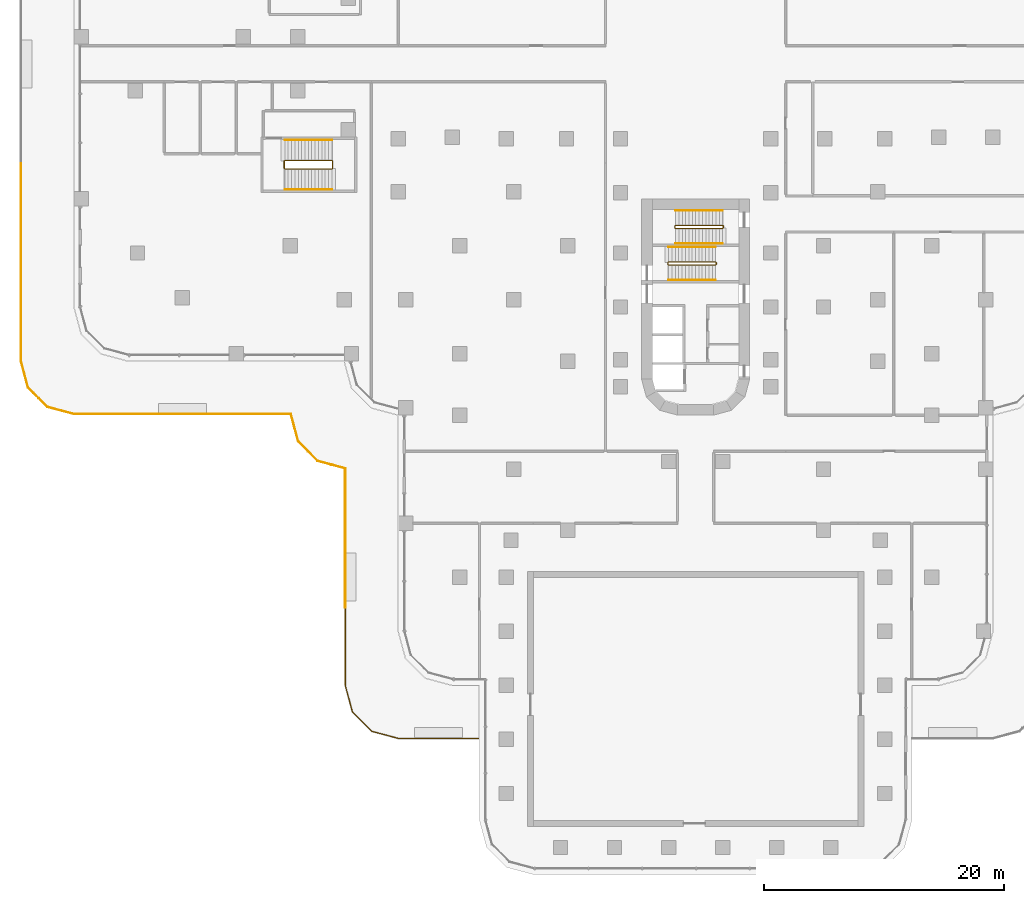
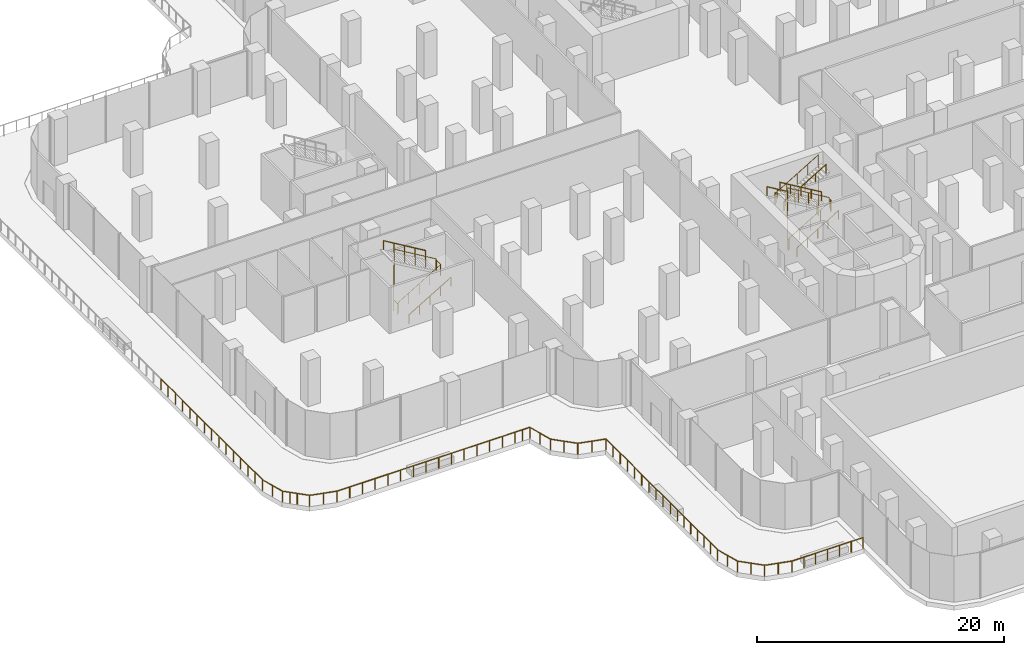
# One storey, part 25 of 30: 13 railings.
"""IFC4 building model written with IfcOpenShell, lengths in metres."""

from ifc_helpers import new_model, si_unit, direction, frame, origin, origin_2d, place, context, subcontext, project, spatial, circle, extrude, material, type_object, element, save


model = new_model("IFC4")

# Units and contexts
model_context = context("Model", 3, precision=1e-05, world=origin(), true_north=direction((0.0, 1.0)))
body_context = subcontext(model_context, "Body", "Model", "MODEL_VIEW")
ifc_project = project(units=[si_unit("LENGTHUNIT", "METRE"), si_unit("AREAUNIT", "SQUARE_METRE"), si_unit("VOLUMEUNIT", "CUBIC_METRE"), si_unit("PLANEANGLEUNIT", "RADIAN"), si_unit("MASSUNIT", "GRAM", prefix="KILO")], contexts=[model_context])

# Site, building, storey
site_placement = place(None, origin())
site = spatial("IfcSite", under=ifc_project, at=site_placement, CompositionType="ELEMENT")
building_placement = place(site_placement, origin())
building = spatial("IfcBuilding", under=site, at=building_placement, Name="Zarbagh Exchange Tower", CompositionType="ELEMENT")
storey_placement = place(building_placement, frame((0.0, 0.0, 7.0)))
storey = spatial("IfcBuildingStorey", under=building, at=storey_placement, Name="L01", CompositionType="ELEMENT", Elevation=7.0)

# Railings
ifc_material_1 = material(Name="Stainless steel", Category="steel")
railing_type_1 = type_object("IfcRailingType", Name="Stair guard 1100 mm", PredefinedType="GUARDRAIL", material=ifc_material_1)
railing_1_placement = place(storey_placement, frame((1.669921875, -16.5, 2.666748046875)))
element("IfcRailing", 1, at=railing_1_placement, inside=storey, type_object=railing_type_1, Name="ST3 stair guard 1", PredefinedType="GUARDRAIL", context=body_context, shape_type="SweptSolid", body=[
    extrude(circle(Radius=0.02392578125, at=origin_2d()), frame((0.0, 0.0, 1.076171875), z_axis=(-0.859296244711, 0.0, 0.511478214419), x_axis=(0.0, -1.0, 0.0)), (0.0, 0.0, 1.0), 4.561767578125),
    extrude(circle(Radius=0.02392578125, at=origin_2d()), frame((-3.919921875, 0.0, 3.4091796875), z_axis=(-0.010008762843, -0.010008762843, -0.999899819648), x_axis=(0.707106781187, -0.707106781187, 0.0)), (0.0, 0.0, 1.0), 5.00048828125),
    extrude(circle(Radius=0.02392578125, at=origin_2d()), frame((-3.969970703125, -0.050048828125, -1.5908203125), z_axis=(0.0, -1.0, 0.0), x_axis=(1.0, 0.0, 0.0)), (0.0, 0.0, 1.0), 0.14990234375),
    extrude(circle(Radius=0.02392578125, at=origin_2d()), frame((-3.969970703125, -0.199951171875, -1.5908203125), z_axis=(0.27628659633, -0.27628659633, 0.920506074601), x_axis=(0.707106781187, 0.707106781187, 0.0)), (0.0, 0.0, 1.0), 0.18115234375),
    extrude(circle(Radius=0.02392578125, at=origin_2d()), frame((-3.919921875, -0.25, -1.423828125), z_axis=(0.859296244711, 0.0, 0.511478214419), x_axis=(0.0, 1.0, 0.0)), (0.0, 0.0, 1.0), 4.561767578125),
    extrude(circle(Radius=0.02392578125, at=origin_2d()), frame((0.0, -0.25, 0.9091796875), z_axis=(0.707106781187, 0.707106781187, 0.0), x_axis=(-0.707106781187, 0.707106781187, 0.0)), (0.0, 0.0, 1.0), 0.07080078125),
    extrude(circle(Radius=0.02392578125, at=origin_2d()), frame((0.050048828125, -0.199951171875, 0.9091796875), z_axis=(0.0, 1.0, 0.0), x_axis=(-1.0, 0.0, 0.0)), (0.0, 0.0, 1.0), 0.14990234375),
    extrude(circle(Radius=0.02099609375, at=origin_2d()), origin(), (0.0, 0.0, 1.0), 1.052001953125),
    extrude(circle(Radius=0.02099609375, at=origin_2d()), frame((-0.97998046875, 0.0, 0.583251953125)), (0.0, 0.0, 1.0), 1.052001953125),
    extrude(circle(Radius=0.02099609375, at=origin_2d()), frame((-1.9599609375, 0.0, 1.16650390625)), (0.0, 0.0, 1.0), 1.052001953125),
    extrude(circle(Radius=0.02099609375, at=origin_2d()), frame((-2.93994140625, 0.0, 1.75)), (0.0, 0.0, 1.0), 1.052001953125),
    extrude(circle(Radius=0.02099609375, at=origin_2d()), frame((-3.919921875, 0.0, 2.333251953125)), (0.0, 0.0, 1.0), 1.052001953125),
    extrude(circle(Radius=0.02099609375, at=origin_2d()), frame((-3.929931640625, -0.010009765625, 1.333251953125)), (0.0, 0.0, 1.0), 1.052001953125),
    extrude(circle(Radius=0.02099609375, at=origin_2d()), frame((-3.93994140625, -0.02001953125, 0.333251953125)), (0.0, 0.0, 1.0), 1.052001953125),
    extrude(circle(Radius=0.02099609375, at=origin_2d()), frame((-3.949951171875, -0.030029296875, -0.666748046875)), (0.0, 0.0, 1.0), 1.052001953125),
    extrude(circle(Radius=0.02099609375, at=origin_2d()), frame((-3.9599609375, -0.0400390625, -1.666748046875)), (0.0, 0.0, 1.0), 1.052001953125),
    extrude(circle(Radius=0.02099609375, at=origin_2d()), frame((-3.969970703125, -0.050048828125, -2.666748046875)), (0.0, 0.0, 1.0), 1.052001953125),
    extrude(circle(Radius=0.02099609375, at=origin_2d()), frame((-3.969970703125, -0.199951171875, -2.666748046875)), (0.0, 0.0, 1.0), 1.052001953125),
    extrude(circle(Radius=0.02099609375, at=origin_2d()), frame((-3.919921875, -0.25, -2.5)), (0.0, 0.0, 1.0), 1.052001953125),
    extrude(circle(Radius=0.02099609375, at=origin_2d()), frame((-2.93994140625, -0.25, -1.916748046875)), (0.0, 0.0, 1.0), 1.052001953125),
    extrude(circle(Radius=0.02099609375, at=origin_2d()), frame((-1.9599609375, -0.25, -1.33349609375)), (0.0, 0.0, 1.0), 1.052001953125),
    extrude(circle(Radius=0.02099609375, at=origin_2d()), frame((-0.97998046875, -0.25, -0.75)), (0.0, 0.0, 1.0), 1.052001953125),
    extrude(circle(Radius=0.02099609375, at=origin_2d()), frame((0.0, -0.25, -0.166748046875)), (0.0, 0.0, 1.0), 1.052001953125),
    extrude(circle(Radius=0.02099609375, at=origin_2d()), frame((0.050048828125, -0.199951171875, -0.166748046875)), (0.0, 0.0, 1.0), 1.052001953125),
    extrude(circle(Radius=0.02099609375, at=origin_2d()), frame((0.050048828125, -0.050048828125, -0.166748046875)), (0.0, 0.0, 1.0), 1.052001953125),
])
railing_2_placement = place(storey_placement, frame((-1.719970703125, -13.5, 2.5)))
element("IfcRailing", 2, at=railing_2_placement, inside=storey, type_object=railing_type_1, Name="ST4 stair guard 1", PredefinedType="GUARDRAIL", context=body_context, shape_type="SweptSolid", body=[
    extrude(circle(Radius=0.02392578125, at=origin_2d()), frame((0.0, 0.0, 1.076171875), z_axis=(0.0, -1.0, 0.0), x_axis=(1.0, 0.0, 0.0)), (0.0, 0.0, 1.0), 0.14990234375),
    extrude(circle(Radius=0.02392578125, at=origin_2d()), frame((0.0, -0.14990234375, 1.076171875), z_axis=(0.27628659633, -0.27628659633, 0.920506074601), x_axis=(0.707106781187, 0.707106781187, 0.0)), (0.0, 0.0, 1.0), 0.18115234375),
    extrude(circle(Radius=0.02392578125, at=origin_2d()), frame((0.050048828125, -0.199951171875, 1.24267578125), z_axis=(0.859296244711, 0.0, 0.511478214419), x_axis=(0.0, 1.0, 0.0)), (0.0, 0.0, 1.0), 4.561767578125),
    extrude(circle(Radius=0.02392578125, at=origin_2d()), frame((3.969970703125, -0.199951171875, 3.576171875), z_axis=(0.010008762843, 0.010008762843, -0.999899819648), x_axis=(-0.707106781187, 0.707106781187, 0.0)), (0.0, 0.0, 1.0), 5.00048828125),
    extrude(circle(Radius=0.02392578125, at=origin_2d()), frame((4.02001953125, -0.14990234375, -1.423828125), z_axis=(0.0, 1.0, 0.0), x_axis=(-1.0, 0.0, 0.0)), (0.0, 0.0, 1.0), 0.14990234375),
    extrude(circle(Radius=0.02392578125, at=origin_2d()), frame((4.02001953125, 0.0, -1.423828125), z_axis=(-0.27628659633, 0.27628659633, 0.920506074601), x_axis=(-0.707106781187, -0.707106781187, 0.0)), (0.0, 0.0, 1.0), 0.18115234375),
    extrude(circle(Radius=0.02392578125, at=origin_2d()), frame((3.969970703125, 0.050048828125, -1.25732421875), z_axis=(-0.859296244711, 0.0, 0.511478214419), x_axis=(0.0, -1.0, 0.0)), (0.0, 0.0, 1.0), 4.561767578125),
    extrude(circle(Radius=0.02099609375, at=origin_2d()), origin(), (0.0, 0.0, 1.0), 1.052001953125),
    extrude(circle(Radius=0.02099609375, at=origin_2d()), frame((0.0, -0.14990234375, 0.0)), (0.0, 0.0, 1.0), 1.052001953125),
    extrude(circle(Radius=0.02099609375, at=origin_2d()), frame((0.050048828125, -0.199951171875, 0.166748046875)), (0.0, 0.0, 1.0), 1.052001953125),
    extrude(circle(Radius=0.02099609375, at=origin_2d()), frame((1.030029296875, -0.199951171875, 0.75)), (0.0, 0.0, 1.0), 1.052001953125),
    extrude(circle(Radius=0.02099609375, at=origin_2d()), frame((2.010009765625, -0.199951171875, 1.33349609375)), (0.0, 0.0, 1.0), 1.052001953125),
    extrude(circle(Radius=0.02099609375, at=origin_2d()), frame((2.989990234375, -0.199951171875, 1.916748046875)), (0.0, 0.0, 1.0), 1.052001953125),
    extrude(circle(Radius=0.02099609375, at=origin_2d()), frame((3.969970703125, -0.199951171875, 2.5)), (0.0, 0.0, 1.0), 1.052001953125),
    extrude(circle(Radius=0.02099609375, at=origin_2d()), frame((3.97998046875, -0.18994140625, 1.5)), (0.0, 0.0, 1.0), 1.052001953125),
    extrude(circle(Radius=0.02099609375, at=origin_2d()), frame((3.989990234375, -0.179931640625, 0.5)), (0.0, 0.0, 1.0), 1.052001953125),
    extrude(circle(Radius=0.02099609375, at=origin_2d()), frame((4.0, -0.169921875, -0.5)), (0.0, 0.0, 1.0), 1.052001953125),
    extrude(circle(Radius=0.02099609375, at=origin_2d()), frame((4.010009765625, -0.159912109375, -1.5)), (0.0, 0.0, 1.0), 1.052001953125),
    extrude(circle(Radius=0.02099609375, at=origin_2d()), frame((4.02001953125, -0.14990234375, -2.5)), (0.0, 0.0, 1.0), 1.052001953125),
    extrude(circle(Radius=0.02099609375, at=origin_2d()), frame((4.02001953125, 0.0, -2.5)), (0.0, 0.0, 1.0), 1.052001953125),
    extrude(circle(Radius=0.02099609375, at=origin_2d()), frame((3.969970703125, 0.050048828125, -2.333251953125)), (0.0, 0.0, 1.0), 1.052001953125),
    extrude(circle(Radius=0.02099609375, at=origin_2d()), frame((2.989990234375, 0.050048828125, -1.75)), (0.0, 0.0, 1.0), 1.052001953125),
    extrude(circle(Radius=0.02099609375, at=origin_2d()), frame((2.010009765625, 0.050048828125, -1.16650390625)), (0.0, 0.0, 1.0), 1.052001953125),
    extrude(circle(Radius=0.02099609375, at=origin_2d()), frame((1.030029296875, 0.050048828125, -0.583251953125)), (0.0, 0.0, 1.0), 1.052001953125),
    extrude(circle(Radius=0.02099609375, at=origin_2d()), frame((0.050048828125, 0.050048828125, 0.0)), (0.0, 0.0, 1.0), 1.052001953125),
])
railing_3_placement = place(storey_placement, frame((-30.22998046875, -8.699951171875, 2.5)))
element("IfcRailing", 3, at=railing_3_placement, inside=storey, type_object=railing_type_1, Name="PS4 stair guard 1", PredefinedType="GUARDRAIL", context=body_context, shape_type="SweptSolid", body=[
    extrude(circle(Radius=0.02392578125, at=origin_2d()), frame((0.0, 0.0, 1.076171875), z_axis=(0.0, 1.0, 0.0), x_axis=(-1.0, 0.0, 0.0)), (0.0, 0.0, 1.0), 0.599853515625),
    extrude(circle(Radius=0.02392578125, at=origin_2d()), frame((0.0, 0.599853515625, 1.076171875), z_axis=(-0.27628659633, 0.27628659633, 0.920506074601), x_axis=(-0.707106781187, -0.707106781187, 0.0)), (0.0, 0.0, 1.0), 0.18115234375),
    extrude(circle(Radius=0.02392578125, at=origin_2d()), frame((-0.050048828125, 0.64990234375, 1.24267578125), z_axis=(-0.859296244711, 0.0, 0.511478214419), x_axis=(0.0, -1.0, 0.0)), (0.0, 0.0, 1.0), 4.561767578125),
    extrude(circle(Radius=0.02392578125, at=origin_2d()), frame((-3.969970703125, 0.64990234375, 3.576171875), z_axis=(-0.010008762843, -0.010008762843, -0.999899819648), x_axis=(0.707106781187, -0.707106781187, 0.0)), (0.0, 0.0, 1.0), 5.00048828125),
    extrude(circle(Radius=0.02392578125, at=origin_2d()), frame((-4.02001953125, 0.599853515625, -1.423828125), z_axis=(0.0, -1.0, 0.0), x_axis=(1.0, 0.0, 0.0)), (0.0, 0.0, 1.0), 0.599853515625),
    extrude(circle(Radius=0.02392578125, at=origin_2d()), frame((-4.02001953125, 0.0, -1.423828125), z_axis=(0.27628659633, -0.27628659633, 0.920506074601), x_axis=(0.707106781187, 0.707106781187, 0.0)), (0.0, 0.0, 1.0), 0.18115234375),
    extrude(circle(Radius=0.02392578125, at=origin_2d()), frame((-3.969970703125, -0.050048828125, -1.25732421875), z_axis=(0.859296244711, 0.0, 0.511478214419), x_axis=(0.0, 1.0, 0.0)), (0.0, 0.0, 1.0), 4.561767578125),
    extrude(circle(Radius=0.02099609375, at=origin_2d()), origin(), (0.0, 0.0, 1.0), 1.052001953125),
    extrude(circle(Radius=0.02099609375, at=origin_2d()), frame((0.0, 0.599853515625, 0.0)), (0.0, 0.0, 1.0), 1.052001953125),
    extrude(circle(Radius=0.02099609375, at=origin_2d()), frame((-0.050048828125, 0.64990234375, 0.166748046875)), (0.0, 0.0, 1.0), 1.052001953125),
    extrude(circle(Radius=0.02099609375, at=origin_2d()), frame((-1.030029296875, 0.64990234375, 0.75)), (0.0, 0.0, 1.0), 1.052001953125),
    extrude(circle(Radius=0.02099609375, at=origin_2d()), frame((-2.010009765625, 0.64990234375, 1.33349609375)), (0.0, 0.0, 1.0), 1.052001953125),
    extrude(circle(Radius=0.02099609375, at=origin_2d()), frame((-2.989990234375, 0.64990234375, 1.916748046875)), (0.0, 0.0, 1.0), 1.052001953125),
    extrude(circle(Radius=0.02099609375, at=origin_2d()), frame((-3.969970703125, 0.64990234375, 2.5)), (0.0, 0.0, 1.0), 1.052001953125),
    extrude(circle(Radius=0.02099609375, at=origin_2d()), frame((-3.97998046875, 0.639892578125, 1.5)), (0.0, 0.0, 1.0), 1.052001953125),
    extrude(circle(Radius=0.02099609375, at=origin_2d()), frame((-3.989990234375, 0.6298828125, 0.5)), (0.0, 0.0, 1.0), 1.052001953125),
    extrude(circle(Radius=0.02099609375, at=origin_2d()), frame((-4.0, 0.619873046875, -0.5)), (0.0, 0.0, 1.0), 1.052001953125),
    extrude(circle(Radius=0.02099609375, at=origin_2d()), frame((-4.010009765625, 0.60986328125, -1.5)), (0.0, 0.0, 1.0), 1.052001953125),
    extrude(circle(Radius=0.02099609375, at=origin_2d()), frame((-4.02001953125, 0.599853515625, -2.5)), (0.0, 0.0, 1.0), 1.052001953125),
    extrude(circle(Radius=0.02099609375, at=origin_2d()), frame((-4.02001953125, 0.0, -2.5)), (0.0, 0.0, 1.0), 1.052001953125),
    extrude(circle(Radius=0.02099609375, at=origin_2d()), frame((-3.969970703125, -0.050048828125, -2.333251953125)), (0.0, 0.0, 1.0), 1.052001953125),
    extrude(circle(Radius=0.02099609375, at=origin_2d()), frame((-2.989990234375, -0.050048828125, -1.75)), (0.0, 0.0, 1.0), 1.052001953125),
    extrude(circle(Radius=0.02099609375, at=origin_2d()), frame((-2.010009765625, -0.050048828125, -1.16650390625)), (0.0, 0.0, 1.0), 1.052001953125),
    extrude(circle(Radius=0.02099609375, at=origin_2d()), frame((-1.030029296875, -0.050048828125, -0.583251953125)), (0.0, 0.0, 1.0), 1.052001953125),
    extrude(circle(Radius=0.02099609375, at=origin_2d()), frame((-0.050048828125, -0.050048828125, 0.0)), (0.0, 0.0, 1.0), 1.052001953125),
])
railing_type_2 = type_object("IfcRailingType", Name="Stair handrail 900 mm", PredefinedType="HANDRAIL", material=ifc_material_1)
railing_4_placement = place(storey_placement, frame((-2.25, -18.0, 0.166748046875)))
element("IfcRailing", 4, at=railing_4_placement, inside=storey, type_object=railing_type_2, Name="ST3 stair handrail 1", PredefinedType="HANDRAIL", context=body_context, shape_type="SweptSolid", body=[
    extrude(circle(Radius=0.02392578125, at=origin_2d()), frame((0.0, 0.0, 0.8759765625), z_axis=(0.859296244711, 0.0, 0.511478214419), x_axis=(0.0, 1.0, 0.0)), (0.0, 0.0, 1.0), 4.561767578125),
    extrude(circle(Radius=0.02099609375, at=origin_2d()), origin(), (0.0, 0.0, 1.0), 0.851806640625),
    extrude(circle(Radius=0.02099609375, at=origin_2d()), frame((0.97998046875, 0.0, 0.583251953125)), (0.0, 0.0, 1.0), 0.851806640625),
    extrude(circle(Radius=0.02099609375, at=origin_2d()), frame((1.9599609375, 0.0, 1.16650390625)), (0.0, 0.0, 1.0), 0.851806640625),
    extrude(circle(Radius=0.02099609375, at=origin_2d()), frame((2.93994140625, 0.0, 1.75)), (0.0, 0.0, 1.0), 0.851806640625),
    extrude(circle(Radius=0.02099609375, at=origin_2d()), frame((3.919921875, 0.0, 2.333251953125)), (0.0, 0.0, 1.0), 0.851806640625),
])
for number, where, name in (
    (5, (1.669921875, -15.25, 2.666748046875), "ST3 stair handrail 2"),
    (6, (2.25, -12.199951171875, 0.166748046875), "ST4 stair handrail 1"),
):
    element("IfcRailing", number, at=place(storey_placement, frame(where)), inside=storey, type_object=railing_type_2, Name=name, PredefinedType="HANDRAIL", context=body_context, shape_type="SweptSolid", body=[
        extrude(circle(Radius=0.02392578125, at=origin_2d()), frame((0.0, 0.0, 0.8759765625), z_axis=(-0.859296244711, 0.0, 0.511478214419), x_axis=(0.0, -1.0, 0.0)), (0.0, 0.0, 1.0), 4.561767578125),
        extrude(circle(Radius=0.02099609375, at=origin_2d()), origin(), (0.0, 0.0, 1.0), 0.851806640625),
        extrude(circle(Radius=0.02099609375, at=origin_2d()), frame((-0.97998046875, 0.0, 0.583251953125)), (0.0, 0.0, 1.0), 0.851806640625),
        extrude(circle(Radius=0.02099609375, at=origin_2d()), frame((-1.9599609375, 0.0, 1.16650390625)), (0.0, 0.0, 1.0), 0.851806640625),
        extrude(circle(Radius=0.02099609375, at=origin_2d()), frame((-2.93994140625, 0.0, 1.75)), (0.0, 0.0, 1.0), 0.851806640625),
        extrude(circle(Radius=0.02099609375, at=origin_2d()), frame((-3.919921875, 0.0, 2.333251953125)), (0.0, 0.0, 1.0), 0.851806640625),
    ])
for number, where, name in (
    (7, (-1.669921875, -14.949951171875, 2.666748046875), "ST4 stair handrail 2"),
    (8, (-34.199951171875, -10.449951171875, 0.166748046875), "PS4 stair handrail 1"),
):
    element("IfcRailing", number, at=place(storey_placement, frame(where)), inside=storey, type_object=railing_type_2, Name=name, PredefinedType="HANDRAIL", context=body_context, shape_type="SweptSolid", body=[
        extrude(circle(Radius=0.02392578125, at=origin_2d()), frame((0.0, 0.0, 0.8759765625), z_axis=(0.859296244711, 0.0, 0.511478214419), x_axis=(0.0, 1.0, 0.0)), (0.0, 0.0, 1.0), 4.561767578125),
        extrude(circle(Radius=0.02099609375, at=origin_2d()), origin(), (0.0, 0.0, 1.0), 0.851806640625),
        extrude(circle(Radius=0.02099609375, at=origin_2d()), frame((0.97998046875, 0.0, 0.583251953125)), (0.0, 0.0, 1.0), 0.851806640625),
        extrude(circle(Radius=0.02099609375, at=origin_2d()), frame((1.9599609375, 0.0, 1.16650390625)), (0.0, 0.0, 1.0), 0.851806640625),
        extrude(circle(Radius=0.02099609375, at=origin_2d()), frame((2.93994140625, 0.0, 1.75)), (0.0, 0.0, 1.0), 0.851806640625),
        extrude(circle(Radius=0.02099609375, at=origin_2d()), frame((3.919921875, 0.0, 2.333251953125)), (0.0, 0.0, 1.0), 0.851806640625),
    ])
railing_5_placement = place(storey_placement, frame((-30.280029296875, -6.35009765625, 2.666748046875)))
element("IfcRailing", 9, at=railing_5_placement, inside=storey, type_object=railing_type_2, Name="PS4 stair handrail 2", PredefinedType="HANDRAIL", context=body_context, shape_type="SweptSolid", body=[
    extrude(circle(Radius=0.02392578125, at=origin_2d()), frame((0.0, 0.0, 0.8759765625), z_axis=(-0.859296244711, 0.0, 0.511478214419), x_axis=(0.0, -1.0, 0.0)), (0.0, 0.0, 1.0), 4.561767578125),
    extrude(circle(Radius=0.02099609375, at=origin_2d()), origin(), (0.0, 0.0, 1.0), 0.851806640625),
    extrude(circle(Radius=0.02099609375, at=origin_2d()), frame((-0.97998046875, 0.0, 0.583251953125)), (0.0, 0.0, 1.0), 0.851806640625),
    extrude(circle(Radius=0.02099609375, at=origin_2d()), frame((-1.9599609375, 0.0, 1.16650390625)), (0.0, 0.0, 1.0), 0.851806640625),
    extrude(circle(Radius=0.02099609375, at=origin_2d()), frame((-2.93994140625, 0.0, 1.75)), (0.0, 0.0, 1.0), 0.851806640625),
    extrude(circle(Radius=0.02099609375, at=origin_2d()), frame((-3.919921875, 0.0, 2.333251953125)), (0.0, 0.0, 1.0), 0.851806640625),
])
ifc_material_2 = material(Name="Stainless steel and laminated glass", Category="steel")
railing_type_3 = type_object("IfcRailingType", Name="Terrace guard, glass balustrade 1.1 m", PredefinedType="GUARDRAIL", material=ifc_material_2)
railing_6_placement = place(storey_placement, frame((-18.080078125, -56.169921875, 0.0)))
element("IfcRailing", 10, at=railing_6_placement, inside=storey, type_object=railing_type_3, Name="TG01 terrace guard", PredefinedType="GUARDRAIL", context=body_context, shape_type="SweptSolid", body=[
    extrude(circle(Radius=0.02490234375, at=origin_2d()), frame((0.0, 0.0, 1.0751953125), z_axis=(-1.0, 0.0, 0.0), x_axis=(0.0, -1.0, 0.0)), (0.0, 0.0, 1.0), 6.659423828125),
    extrude(circle(Radius=0.02490234375, at=origin_2d()), frame((-6.659423828125, 0.0, 1.0751953125), z_axis=(-0.965936192935, 0.258780353152, 0.0), x_axis=(-0.258780353152, -0.965936192935, 0.0)), (0.0, 0.0, 1.0), 2.29736328125),
    extrude(circle(Radius=0.02490234375, at=origin_2d()), frame((-8.87841796875, 0.594482421875, 1.0751953125), z_axis=(-0.707106781187, 0.707106781187, 0.0), x_axis=(-0.707106781187, -0.707106781187, 0.0)), (0.0, 0.0, 1.0), 2.28662109375),
    extrude(circle(Radius=0.02490234375, at=origin_2d()), frame((-10.495361328125, 2.21142578125, 1.0751953125), z_axis=(-0.258780353152, 0.965936192935, 0.0), x_axis=(-0.965936192935, -0.258780353152, 0.0)), (0.0, 0.0, 1.0), 2.29736328125),
    extrude(circle(Radius=0.02490234375, at=origin_2d()), frame((-11.08984375, 4.430419921875, 1.0751953125), z_axis=(0.0, 1.0, 0.0), x_axis=(-1.0, 0.0, 0.0)), (0.0, 0.0, 1.0), 6.459228515625),
    extrude(circle(Radius=0.02490234375, at=origin_2d()), origin(), (0.0, 0.0, 1.0), 1.050048828125),
    extrude(circle(Radius=0.02490234375, at=origin_2d()), frame((-1.10986328125, 0.0, 0.0)), (0.0, 0.0, 1.0), 1.050048828125),
    extrude(circle(Radius=0.02490234375, at=origin_2d()), frame((-2.2197265625, 0.0, 0.0)), (0.0, 0.0, 1.0), 1.050048828125),
    extrude(circle(Radius=0.02490234375, at=origin_2d()), frame((-3.32958984375, 0.0, 0.0)), (0.0, 0.0, 1.0), 1.050048828125),
    extrude(circle(Radius=0.02490234375, at=origin_2d()), frame((-4.439697265625, 0.0, 0.0)), (0.0, 0.0, 1.0), 1.050048828125),
    extrude(circle(Radius=0.02490234375, at=origin_2d()), frame((-5.549560546875, 0.0, 0.0)), (0.0, 0.0, 1.0), 1.050048828125),
    extrude(circle(Radius=0.02490234375, at=origin_2d()), frame((-6.659423828125, 0.0, 0.0)), (0.0, 0.0, 1.0), 1.050048828125),
    extrude(circle(Radius=0.02490234375, at=origin_2d()), frame((-7.76904296875, 0.29736328125, 0.0)), (0.0, 0.0, 1.0), 1.050048828125),
    extrude(circle(Radius=0.02490234375, at=origin_2d()), frame((-8.87841796875, 0.594482421875, 0.0)), (0.0, 0.0, 1.0), 1.050048828125),
    extrude(circle(Radius=0.02490234375, at=origin_2d()), frame((-9.68701171875, 1.40283203125, 0.0)), (0.0, 0.0, 1.0), 1.050048828125),
    extrude(circle(Radius=0.02490234375, at=origin_2d()), frame((-10.495361328125, 2.21142578125, 0.0)), (0.0, 0.0, 1.0), 1.050048828125),
    extrude(circle(Radius=0.02490234375, at=origin_2d()), frame((-10.79248046875, 3.32080078125, 0.0)), (0.0, 0.0, 1.0), 1.050048828125),
    extrude(circle(Radius=0.02490234375, at=origin_2d()), frame((-11.08984375, 4.430419921875, 0.0)), (0.0, 0.0, 1.0), 1.050048828125),
    extrude(circle(Radius=0.02490234375, at=origin_2d()), frame((-11.08984375, 5.5068359375, 0.0)), (0.0, 0.0, 1.0), 1.050048828125),
    extrude(circle(Radius=0.02490234375, at=origin_2d()), frame((-11.08984375, 6.58349609375, 0.0)), (0.0, 0.0, 1.0), 1.050048828125),
    extrude(circle(Radius=0.02490234375, at=origin_2d()), frame((-11.08984375, 7.66015625, 0.0)), (0.0, 0.0, 1.0), 1.050048828125),
    extrude(circle(Radius=0.02490234375, at=origin_2d()), frame((-11.08984375, 8.736572265625, 0.0)), (0.0, 0.0, 1.0), 1.050048828125),
    extrude(circle(Radius=0.02490234375, at=origin_2d()), frame((-11.08984375, 9.81298828125, 0.0)), (0.0, 0.0, 1.0), 1.050048828125),
    extrude(circle(Radius=0.02490234375, at=origin_2d()), frame((-11.08984375, 10.8896484375, 0.0)), (0.0, 0.0, 1.0), 1.050048828125),
])
railing_7_placement = place(storey_placement, frame((-29.169921875, -45.2802734375, 0.0)))
element("IfcRailing", 11, at=railing_7_placement, inside=storey, type_object=railing_type_3, Name="TG01 terrace guard", PredefinedType="GUARDRAIL", context=body_context, shape_type="SweptSolid", body=[
    extrude(circle(Radius=0.02490234375, at=origin_2d()), frame((0.0, 0.0, 1.0751953125), z_axis=(0.0, 1.0, 0.0), x_axis=(-1.0, 0.0, 0.0)), (0.0, 0.0, 1.0), 11.591552734375),
    extrude(circle(Radius=0.02490234375, at=origin_2d()), frame((0.0, 11.591552734375, 1.0751953125), z_axis=(-0.965919533457, 0.258842529128, 0.0), x_axis=(-0.258842529128, -0.965919533457, 0.0)), (0.0, 0.0, 1.0), 2.369384765625),
    extrude(circle(Radius=0.02490234375, at=origin_2d()), frame((-2.28857421875, 12.204833984375, 1.0751953125), z_axis=(-0.707106781187, 0.707106781187, 0.0), x_axis=(-0.707106781187, -0.707106781187, 0.0)), (0.0, 0.0, 1.0), 2.28662109375),
    extrude(circle(Radius=0.02490234375, at=origin_2d()), frame((-3.905517578125, 13.82177734375, 1.0751953125), z_axis=(-0.258842529128, 0.965919533457, 0.0), x_axis=(-0.965919533457, -0.258842529128, 0.0)), (0.0, 0.0, 1.0), 2.369384765625),
    extrude(circle(Radius=0.02490234375, at=origin_2d()), frame((-4.518798828125, 16.1103515625, 1.0751953125), z_axis=(-1.0, 0.0, 0.0), x_axis=(0.0, -1.0, 0.0)), (0.0, 0.0, 1.0), 1.383056640625),
    extrude(circle(Radius=0.02490234375, at=origin_2d()), origin(), (0.0, 0.0, 1.0), 1.050048828125),
    extrude(circle(Radius=0.02490234375, at=origin_2d()), frame((0.0, 1.1591796875, 0.0)), (0.0, 0.0, 1.0), 1.050048828125),
    extrude(circle(Radius=0.02490234375, at=origin_2d()), frame((0.0, 2.318359375, 0.0)), (0.0, 0.0, 1.0), 1.050048828125),
    extrude(circle(Radius=0.02490234375, at=origin_2d()), frame((0.0, 3.4775390625, 0.0)), (0.0, 0.0, 1.0), 1.050048828125),
    extrude(circle(Radius=0.02490234375, at=origin_2d()), frame((0.0, 4.63671875, 0.0)), (0.0, 0.0, 1.0), 1.050048828125),
    extrude(circle(Radius=0.02490234375, at=origin_2d()), frame((0.0, 5.7958984375, 0.0)), (0.0, 0.0, 1.0), 1.050048828125),
    extrude(circle(Radius=0.02490234375, at=origin_2d()), frame((0.0, 6.954833984375, 0.0)), (0.0, 0.0, 1.0), 1.050048828125),
    extrude(circle(Radius=0.02490234375, at=origin_2d()), frame((0.0, 8.114013671875, 0.0)), (0.0, 0.0, 1.0), 1.050048828125),
    extrude(circle(Radius=0.02490234375, at=origin_2d()), frame((0.0, 9.273193359375, 0.0)), (0.0, 0.0, 1.0), 1.050048828125),
    extrude(circle(Radius=0.02490234375, at=origin_2d()), frame((0.0, 10.432373046875, 0.0)), (0.0, 0.0, 1.0), 1.050048828125),
    extrude(circle(Radius=0.02490234375, at=origin_2d()), frame((0.0, 11.591552734375, 0.0)), (0.0, 0.0, 1.0), 1.050048828125),
    extrude(circle(Radius=0.02490234375, at=origin_2d()), frame((-1.144287109375, 11.898193359375, 0.0)), (0.0, 0.0, 1.0), 1.050048828125),
    extrude(circle(Radius=0.02490234375, at=origin_2d()), frame((-2.28857421875, 12.204833984375, 0.0)), (0.0, 0.0, 1.0), 1.050048828125),
    extrude(circle(Radius=0.02490234375, at=origin_2d()), frame((-3.09716796875, 13.01318359375, 0.0)), (0.0, 0.0, 1.0), 1.050048828125),
    extrude(circle(Radius=0.02490234375, at=origin_2d()), frame((-3.905517578125, 13.82177734375, 0.0)), (0.0, 0.0, 1.0), 1.050048828125),
    extrude(circle(Radius=0.02490234375, at=origin_2d()), frame((-4.212158203125, 14.966064453125, 0.0)), (0.0, 0.0, 1.0), 1.050048828125),
    extrude(circle(Radius=0.02490234375, at=origin_2d()), frame((-4.518798828125, 16.1103515625, 0.0)), (0.0, 0.0, 1.0), 1.050048828125),
    extrude(circle(Radius=0.02490234375, at=origin_2d()), frame((-5.21044921875, 16.1103515625, 0.0)), (0.0, 0.0, 1.0), 1.050048828125),
    extrude(circle(Radius=0.02490234375, at=origin_2d()), frame((-5.90185546875, 16.1103515625, 0.0)), (0.0, 0.0, 1.0), 1.050048828125),
])
railing_8_placement = place(storey_placement, frame((-35.07177734375, -29.169921875, 0.0)))
element("IfcRailing", 12, at=railing_8_placement, inside=storey, type_object=railing_type_3, Name="TG01 terrace guard", PredefinedType="GUARDRAIL", context=body_context, shape_type="SweptSolid", body=[
    extrude(circle(Radius=0.02490234375, at=origin_2d()), frame((0.0, 0.0, 1.0751953125), z_axis=(-1.0, 0.0, 0.0), x_axis=(0.0, -1.0, 0.0)), (0.0, 0.0, 1.0), 16.667724609375),
    extrude(circle(Radius=0.02490234375, at=origin_2d()), frame((-16.667724609375, 0.0, 1.0751953125), z_axis=(-0.965936192935, 0.258780353152, 0.0), x_axis=(-0.258780353152, -0.965936192935, 0.0)), (0.0, 0.0, 1.0), 2.29736328125),
    extrude(circle(Radius=0.02490234375, at=origin_2d()), frame((-18.88671875, 0.594482421875, 1.0751953125), z_axis=(-0.707106781187, 0.707106781187, 0.0), x_axis=(-0.707106781187, -0.707106781187, 0.0)), (0.0, 0.0, 1.0), 1.03515625),
    extrude(circle(Radius=0.02490234375, at=origin_2d()), origin(), (0.0, 0.0, 1.0), 1.050048828125),
    extrude(circle(Radius=0.02490234375, at=origin_2d()), frame((-1.1904296875, 0.0, 0.0)), (0.0, 0.0, 1.0), 1.050048828125),
    extrude(circle(Radius=0.02490234375, at=origin_2d()), frame((-2.381103515625, 0.0, 0.0)), (0.0, 0.0, 1.0), 1.050048828125),
    extrude(circle(Radius=0.02490234375, at=origin_2d()), frame((-3.57177734375, 0.0, 0.0)), (0.0, 0.0, 1.0), 1.050048828125),
    extrude(circle(Radius=0.02490234375, at=origin_2d()), frame((-4.76220703125, 0.0, 0.0)), (0.0, 0.0, 1.0), 1.050048828125),
    extrude(circle(Radius=0.02490234375, at=origin_2d()), frame((-5.95263671875, 0.0, 0.0)), (0.0, 0.0, 1.0), 1.050048828125),
    extrude(circle(Radius=0.02490234375, at=origin_2d()), frame((-7.143310546875, 0.0, 0.0)), (0.0, 0.0, 1.0), 1.050048828125),
    extrude(circle(Radius=0.02490234375, at=origin_2d()), frame((-8.333984375, 0.0, 0.0)), (0.0, 0.0, 1.0), 1.050048828125),
    extrude(circle(Radius=0.02490234375, at=origin_2d()), frame((-9.5244140625, 0.0, 0.0)), (0.0, 0.0, 1.0), 1.050048828125),
    extrude(circle(Radius=0.02490234375, at=origin_2d()), frame((-10.71484375, 0.0, 0.0)), (0.0, 0.0, 1.0), 1.050048828125),
    extrude(circle(Radius=0.02490234375, at=origin_2d()), frame((-11.905517578125, 0.0, 0.0)), (0.0, 0.0, 1.0), 1.050048828125),
    extrude(circle(Radius=0.02490234375, at=origin_2d()), frame((-13.09619140625, 0.0, 0.0)), (0.0, 0.0, 1.0), 1.050048828125),
    extrude(circle(Radius=0.02490234375, at=origin_2d()), frame((-14.28662109375, 0.0, 0.0)), (0.0, 0.0, 1.0), 1.050048828125),
    extrude(circle(Radius=0.02490234375, at=origin_2d()), frame((-15.47705078125, 0.0, 0.0)), (0.0, 0.0, 1.0), 1.050048828125),
    extrude(circle(Radius=0.02490234375, at=origin_2d()), frame((-16.667724609375, 0.0, 0.0)), (0.0, 0.0, 1.0), 1.050048828125),
    extrude(circle(Radius=0.02490234375, at=origin_2d()), frame((-17.77734375, 0.29736328125, 0.0)), (0.0, 0.0, 1.0), 1.050048828125),
    extrude(circle(Radius=0.02490234375, at=origin_2d()), frame((-18.88671875, 0.594482421875, 0.0)), (0.0, 0.0, 1.0), 1.050048828125),
    extrude(circle(Radius=0.02490234375, at=origin_2d()), frame((-19.61865234375, 1.326416015625, 0.0)), (0.0, 0.0, 1.0), 1.050048828125),
])
railing_9_placement = place(storey_placement, frame((-54.6904296875, -27.843505859375, 0.0)))
element("IfcRailing", 13, at=railing_9_placement, inside=storey, type_object=railing_type_3, Name="TG01 terrace guard", PredefinedType="GUARDRAIL", context=body_context, shape_type="SweptSolid", body=[
    extrude(circle(Radius=0.02490234375, at=origin_2d()), frame((0.0, 0.0, 1.0751953125), z_axis=(-0.707106781187, 0.707106781187, 0.0), x_axis=(-0.707106781187, -0.707106781187, 0.0)), (0.0, 0.0, 1.0), 1.251708984375),
    extrude(circle(Radius=0.02490234375, at=origin_2d()), frame((-0.885009765625, 0.885009765625, 1.0751953125), z_axis=(-0.258780353152, 0.965936192935, 0.0), x_axis=(-0.965936192935, -0.258780353152, 0.0)), (0.0, 0.0, 1.0), 2.29736328125),
    extrude(circle(Radius=0.02490234375, at=origin_2d()), frame((-1.4794921875, 3.10400390625, 1.0751953125), z_axis=(0.0, 1.0, 0.0), x_axis=(-1.0, 0.0, 0.0)), (0.0, 0.0, 1.0), 16.451171875),
    extrude(circle(Radius=0.02490234375, at=origin_2d()), origin(), (0.0, 0.0, 1.0), 1.050048828125),
    extrude(circle(Radius=0.02490234375, at=origin_2d()), frame((-0.4423828125, 0.4423828125, 0.0)), (0.0, 0.0, 1.0), 1.050048828125),
    extrude(circle(Radius=0.02490234375, at=origin_2d()), frame((-0.885009765625, 0.885009765625, 0.0)), (0.0, 0.0, 1.0), 1.050048828125),
    extrude(circle(Radius=0.02490234375, at=origin_2d()), frame((-1.18212890625, 1.99462890625, 0.0)), (0.0, 0.0, 1.0), 1.050048828125),
    extrude(circle(Radius=0.02490234375, at=origin_2d()), frame((-1.4794921875, 3.10400390625, 0.0)), (0.0, 0.0, 1.0), 1.050048828125),
    extrude(circle(Radius=0.02490234375, at=origin_2d()), frame((-1.4794921875, 4.279052734375, 0.0)), (0.0, 0.0, 1.0), 1.050048828125),
    extrude(circle(Radius=0.02490234375, at=origin_2d()), frame((-1.4794921875, 5.4541015625, 0.0)), (0.0, 0.0, 1.0), 1.050048828125),
    extrude(circle(Radius=0.02490234375, at=origin_2d()), frame((-1.4794921875, 6.629150390625, 0.0)), (0.0, 0.0, 1.0), 1.050048828125),
    extrude(circle(Radius=0.02490234375, at=origin_2d()), frame((-1.4794921875, 7.804443359375, 0.0)), (0.0, 0.0, 1.0), 1.050048828125),
    extrude(circle(Radius=0.02490234375, at=origin_2d()), frame((-1.4794921875, 8.9794921875, 0.0)), (0.0, 0.0, 1.0), 1.050048828125),
    extrude(circle(Radius=0.02490234375, at=origin_2d()), frame((-1.4794921875, 10.154541015625, 0.0)), (0.0, 0.0, 1.0), 1.050048828125),
    extrude(circle(Radius=0.02490234375, at=origin_2d()), frame((-1.4794921875, 11.32958984375, 0.0)), (0.0, 0.0, 1.0), 1.050048828125),
    extrude(circle(Radius=0.02490234375, at=origin_2d()), frame((-1.4794921875, 12.504638671875, 0.0)), (0.0, 0.0, 1.0), 1.050048828125),
    extrude(circle(Radius=0.02490234375, at=origin_2d()), frame((-1.4794921875, 13.6796875, 0.0)), (0.0, 0.0, 1.0), 1.050048828125),
    extrude(circle(Radius=0.02490234375, at=origin_2d()), frame((-1.4794921875, 14.854736328125, 0.0)), (0.0, 0.0, 1.0), 1.050048828125),
    extrude(circle(Radius=0.02490234375, at=origin_2d()), frame((-1.4794921875, 16.030029296875, 0.0)), (0.0, 0.0, 1.0), 1.050048828125),
    extrude(circle(Radius=0.02490234375, at=origin_2d()), frame((-1.4794921875, 17.205078125, 0.0)), (0.0, 0.0, 1.0), 1.050048828125),
    extrude(circle(Radius=0.02490234375, at=origin_2d()), frame((-1.4794921875, 18.380126953125, 0.0)), (0.0, 0.0, 1.0), 1.050048828125),
    extrude(circle(Radius=0.02490234375, at=origin_2d()), frame((-1.4794921875, 19.55517578125, 0.0)), (0.0, 0.0, 1.0), 1.050048828125),
])

save(model, "model.ifc")
